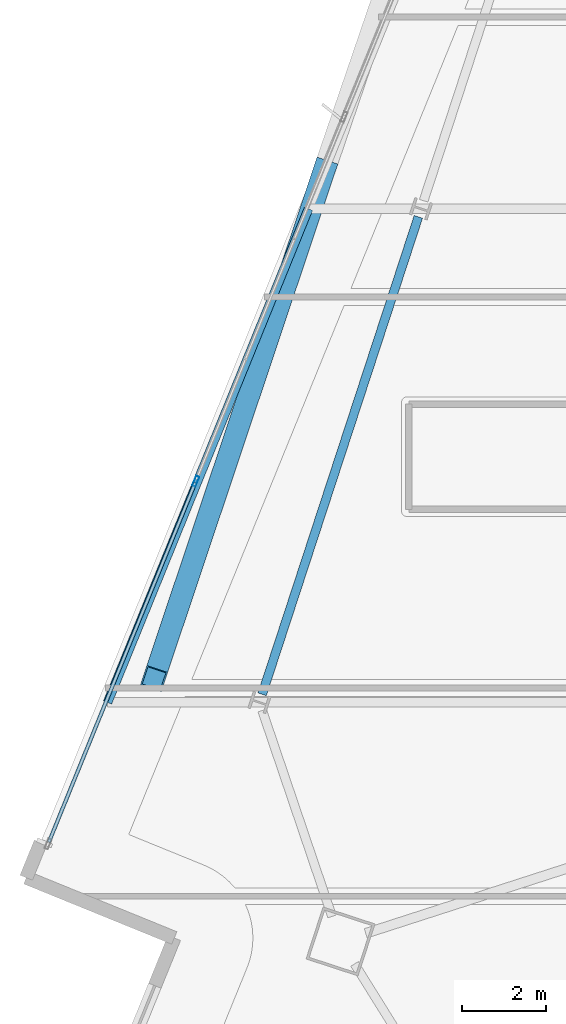
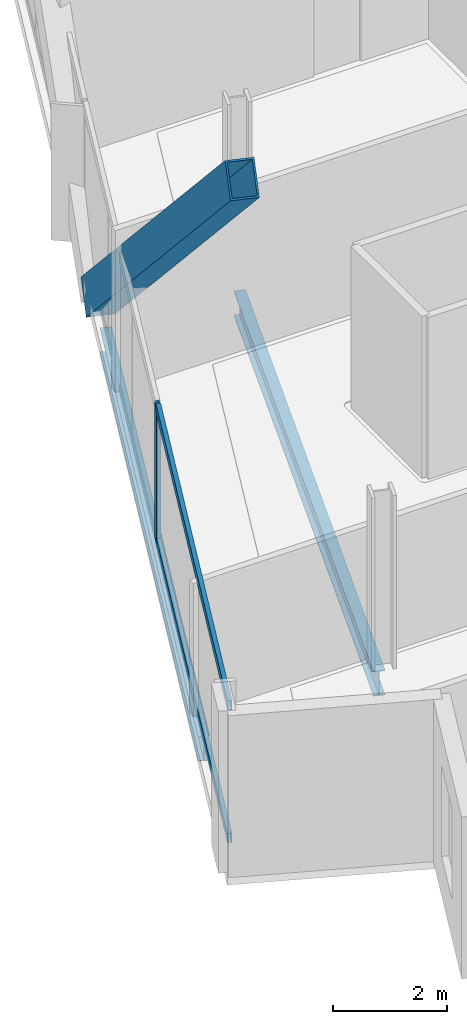
# One storey, part 7 of 31: 4 members, 2 beams, 1 element without a shape of its own.
"""IFC4 building model written with IfcOpenShell, lengths in metres."""

from ifc_helpers import new_model, si_unit, direction, frame, origin, origin_2d, place, context, subcontext, project, spatial, hollow_rectangle, i_section, extrude, material, material_profile, profile_set, type_object, element, aggregate, save


model = new_model("IFC4")

# Units and contexts
model_context = context("Model", 3, precision=1e-05, world=origin(), true_north=direction((0.0, 1.0)))
body_context = subcontext(model_context, "Body", "Model", "MODEL_VIEW")
ifc_project = project(units=[si_unit("LENGTHUNIT", "METRE"), si_unit("AREAUNIT", "SQUARE_METRE"), si_unit("VOLUMEUNIT", "CUBIC_METRE"), si_unit("PLANEANGLEUNIT", "RADIAN"), si_unit("MASSUNIT", "GRAM", prefix="KILO")], contexts=[model_context])

# Site, building, storey
site_placement = place(None, origin())
site = spatial("IfcSite", under=ifc_project, at=site_placement, CompositionType="ELEMENT")
building_placement = place(site_placement, origin())
building = spatial("IfcBuilding", under=site, at=building_placement, Name="Haldenkirk Collegiate Tower", CompositionType="ELEMENT")
storey_placement = place(building_placement, frame((0.0, 0.0, 256.199951171875)))
storey = spatial("IfcBuildingStorey", under=building, at=storey_placement, Name="L64", CompositionType="ELEMENT", Elevation=256.199951171875)

# Beams
ifc_material_1 = material(Name="Steel ASTM A992 Grade 50", Category="steel")
ifc_material_profile_1 = material_profile(ifc_material_1, i_section(OverallWidth=0.2099609375, OverallDepth=0.537109375, WebThickness=0.010986328125, FlangeThickness=0.017333984375, at=origin_2d()), Name="W21X68")
ifc_profile_set_1 = profile_set([ifc_material_profile_1], Name="Steel ASTM A992 Grade 50")
beam_type = type_object("IfcBeamType", Name="BM-SPANDREL-W21X68", PredefinedType="SPANDREL", material=ifc_profile_set_1)
beam_1_placement = place(storey_placement, frame((17.9267578125, 31.701171875, -0.538330078125), z_axis=(-0.311010188249, -0.950406577631, 0.0), x_axis=(0.950406577631, -0.311010188249, 0.0)))
element("IfcBeam", 1, at=beam_1_placement, inside=storey, type_object=beam_type, Name="L64 perimeter spandrel beam 11", PredefinedType="SPANDREL", context=body_context, shape_type="SweptSolid", body=[
    extrude(i_section(OverallWidth=0.2099609375, OverallDepth=0.537109375, WebThickness=0.010986328125, FlangeThickness=0.017333984375, at=origin_2d()), origin(), (0.0, 0.0, 1.0), 11.94287109375),
])
beam_2_placement = place(storey_placement, frame((15.3154296875, 31.8935546875, -0.538330078125), z_axis=(-0.377021448287, -0.926204527916, 0.0), x_axis=(0.926204527916, -0.377021448287, 0.0)))
element("IfcBeam", 2, at=beam_2_placement, inside=storey, type_object=beam_type, Name="L64 outer facade edge beam 3B", PredefinedType="SPANDREL", context=body_context, shape_type="SweptSolid", body=[
    extrude(i_section(OverallWidth=0.2099609375, OverallDepth=0.537109375, WebThickness=0.010986328125, FlangeThickness=0.017333984375, at=origin_2d()), origin(), (0.0, 0.0, 1.0), 12.670654296875),
])

# Curtain wall, members
ifc_material_2 = material(Name="Anodised architectural bronze aluminium", Category="aluminium")
curtain_wall_type = type_object("IfcCurtainWallType", Name="CW-SYS1B-CONVEX-HI", PredefinedType="USERDEFINED", material=ifc_material_2)
curtain_wall_placement = place(storey_placement, origin())
curtain_wall = element("IfcCurtainWall", 3, at=curtain_wall_placement, inside=storey, type_object=curtain_wall_type, Name="L64 Upper tower high-wind convex bronze unitised curtain wall", ObjectType="UNITISED CURTAIN WALL", PredefinedType="USERDEFINED")
ifc_material_profile_2 = material_profile(ifc_material_2, hollow_rectangle(XDim=0.0849609375, YDim=0.25, WallThickness=0.0048828125, at=origin_2d()), Name="CW-MUL-1B")
ifc_profile_set_2 = profile_set([ifc_material_profile_2], Name="Anodised architectural bronze aluminium")
member_type_1 = type_object("IfcMemberType", Name="CW-MUL-1B", PredefinedType="MULLION", material=ifc_profile_set_2)
member_1_placement = place(storey_placement, frame((12.635498046875, 25.416015625, 0.0), z_axis=(0.0, 0.0, 1.0), x_axis=(-0.926198931916, 0.377035195329, 0.0)))
member_1 = element("IfcMember", 4, at=member_1_placement, type_object=member_type_1, Name="CW-1B mullion 2", PredefinedType="MULLION", context=body_context, shape_type="SweptSolid", body=[
    extrude(hollow_rectangle(XDim=0.0849609375, YDim=0.25, WallThickness=0.0048828125, at=origin_2d()), origin(), (0.0, 0.0, 1.0), 2.93798828125),
])
ifc_material_profile_3 = material_profile(ifc_material_2, hollow_rectangle(XDim=0.0849609375, YDim=0.199951171875, WallThickness=0.0048828125, at=origin_2d()), Name="CW-TRN-1B")
ifc_profile_set_3 = profile_set([ifc_material_profile_3], Name="Anodised architectural bronze aluminium")
member_type_2 = type_object("IfcMemberType", Name="CW-TRN-1B", PredefinedType="USERDEFINED", material=ifc_profile_set_3)
member_2_placement = place(storey_placement, frame((9.142333984375, 16.834716796875, 0.04248046875), z_axis=(0.37701601628, 0.926206739054, 0.0), x_axis=(-0.926206739054, 0.37701601628, 0.0)))
member_2 = element("IfcMember", 5, at=member_2_placement, type_object=member_type_2, Name="CW-1B transom 1.1", ObjectType="TRANSOM", PredefinedType="USERDEFINED", context=body_context, shape_type="SweptSolid", body=[
    extrude(hollow_rectangle(XDim=0.0849609375, YDim=0.199951171875, WallThickness=0.0048828125, at=origin_2d()), origin(), (0.0, 0.0, 1.0), 9.22265625),
])
member_3_placement = place(storey_placement, frame((9.142333984375, 16.834716796875, 2.8955078125), z_axis=(0.37701601628, 0.926206739054, 0.0), x_axis=(-0.926206739054, 0.37701601628, 0.0)))
member_3 = element("IfcMember", 6, at=member_3_placement, type_object=member_type_2, Name="CW-1B transom 1.2", ObjectType="TRANSOM", PredefinedType="USERDEFINED", context=body_context, shape_type="SweptSolid", body=[
    extrude(hollow_rectangle(XDim=0.0849609375, YDim=0.199951171875, WallThickness=0.0048828125, at=origin_2d()), origin(), (0.0, 0.0, 1.0), 9.22265625),
])
aggregate(curtain_wall, [member_1, member_2, member_3])

# Member
ifc_material_3 = material(Name="Steel ASTM A572 Grade 50", Category="steel")
ifc_material_profile_4 = material_profile(ifc_material_3, hollow_rectangle(XDim=0.52001953125, YDim=0.719970703125, WallThickness=0.035888671875, at=origin_2d()), Name="BOX720X520X36")
ifc_profile_set_4 = profile_set([ifc_material_profile_4], Name="Steel ASTM A572 Grade 50")
member_type_3 = type_object("IfcMemberType", Name="MBR-MEGABRACE-BOX720X520X36", PredefinedType="BRACE", material=ifc_profile_set_4)
member_4_placement = place(storey_placement, frame((15.690185546875, 32.813720703125, -0.280029296875), z_axis=(-0.238032942345, -0.710968326225, 0.661713198797), x_axis=(0.948264935744, -0.317480096443, 0.0)))
element("IfcMember", 7, at=member_4_placement, inside=storey, type_object=member_type_3, Name="Perimeter Mega Brace Z5 L64-L66 NR", PredefinedType="BRACE", context=body_context, shape_type="SweptSolid", body=[
    extrude(hollow_rectangle(XDim=0.52001953125, YDim=0.719970703125, WallThickness=0.035888671875, at=origin_2d()), origin(), (0.0, 0.0, 1.0), 17.001220703125),
])

save(model, "model.ifc")
